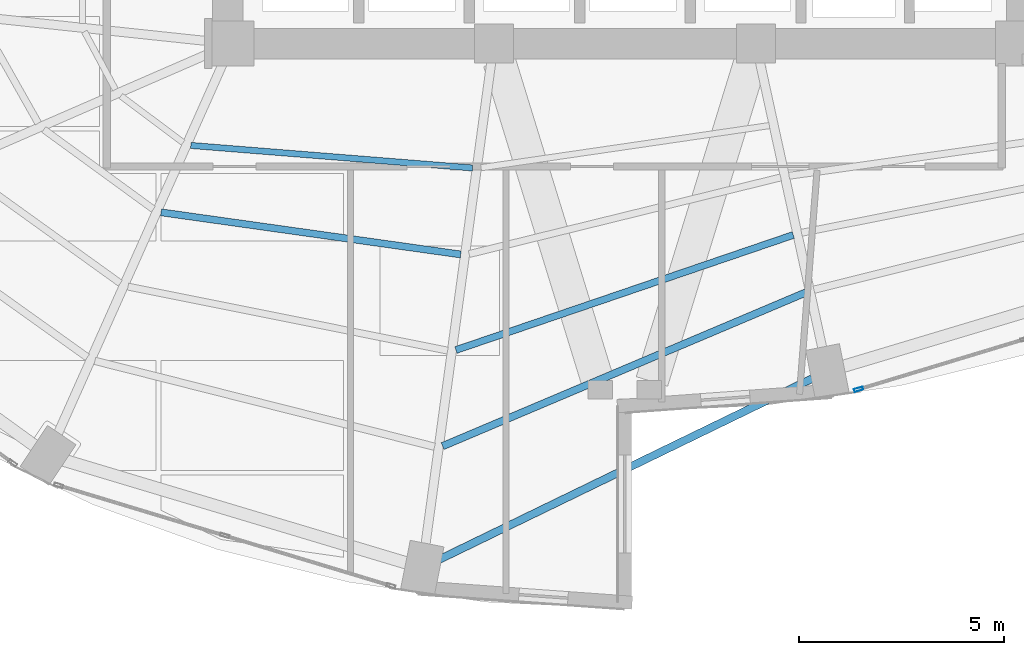
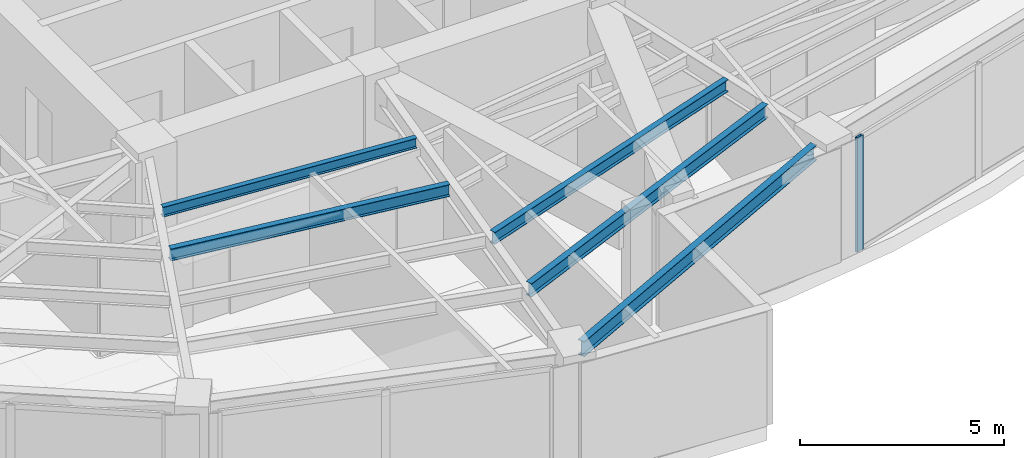
# One storey, part 6 of 23: 5 beams, 1 member, 1 element without a shape of its own.
"""IFC4 building model written with IfcOpenShell, lengths in metres."""

from ifc_helpers import new_model, si_unit, direction, frame, origin, origin_2d, place, context, subcontext, project, spatial, hollow_rectangle, i_section, extrude, material, layer, layer_set, material_profile, profile_set, type_object, element, aggregate, save


model = new_model("IFC4")

# Units and contexts
model_context = context("Model", 3, precision=1e-05, world=origin(), true_north=direction((0.0, 1.0)))
body_context = subcontext(model_context, "Body", "Model", "MODEL_VIEW")
ifc_project = project(units=[si_unit("LENGTHUNIT", "METRE"), si_unit("AREAUNIT", "SQUARE_METRE"), si_unit("VOLUMEUNIT", "CUBIC_METRE"), si_unit("PLANEANGLEUNIT", "RADIAN"), si_unit("MASSUNIT", "GRAM", prefix="KILO")], contexts=[model_context])

# Site, building, storey
site_placement = place(None, origin())
site = spatial("IfcSite", under=ifc_project, at=site_placement, CompositionType="ELEMENT")
building_placement = place(site_placement, origin())
building = spatial("IfcBuilding", under=site, at=building_placement, Name="Lazwardi Medical Tower", CompositionType="ELEMENT")
storey_placement = place(building_placement, frame((0.0, 0.0, 81.743896484375)))
storey = spatial("IfcBuildingStorey", under=building, at=storey_placement, Name="L20", CompositionType="ELEMENT", Elevation=81.743896484375)

# Beams
ifc_material_1 = material(Name="Steel S355", Category="steel")
ifc_material_profile_1 = material_profile(ifc_material_1, i_section(OverallWidth=0.179931640625, OverallDepth=0.39990234375, WebThickness=0.008544921875, FlangeThickness=0.013427734375, at=origin_2d()), Name="IPE 400")
ifc_profile_set_1 = profile_set([ifc_material_profile_1], Name="Steel S355")
beam_type_1 = type_object("IfcBeamType", Name="BM-SJ-01", PredefinedType="JOIST", material=ifc_profile_set_1)
beam_1_placement = place(storey_placement, frame((31.550537109375, 10.571533203125, 3.22802734375), z_axis=(0.920947307957, 0.389687125739, 0.0), x_axis=(-0.389687125739, 0.920947307957, 0.0)))
element("IfcBeam", 1, at=beam_1_placement, inside=storey, type_object=beam_type_1, Name="Secondary joist SJ-01 R1 B16 L20", PredefinedType="JOIST", context=body_context, shape_type="SweptSolid", body=[
    extrude(i_section(OverallWidth=0.179931640625, OverallDepth=0.39990234375, WebThickness=0.008544921875, FlangeThickness=0.013427734375, at=origin_2d()), origin(), (0.0, 0.0, 1.0), 9.63134765625),
])
ifc_material_profile_2 = material_profile(ifc_material_1, i_section(OverallWidth=0.169921875, OverallDepth=0.360107421875, WebThickness=0.008056640625, FlangeThickness=0.0126953125, at=origin_2d()), Name="IPE 360")
ifc_profile_set_2 = profile_set([ifc_material_profile_2], Name="Steel S355")
beam_type_2 = type_object("IfcBeamType", Name="BM-SJ-02", PredefinedType="JOIST", material=ifc_profile_set_2)
beam_2_placement = place(storey_placement, frame((31.874267578125, 12.91796875, 3.248046875), z_axis=(0.946467154368, 0.322800132749, 0.0), x_axis=(-0.322800132749, 0.946467154368, 0.0)))
element("IfcBeam", 2, at=beam_2_placement, inside=storey, type_object=beam_type_2, Name="Secondary joist SJ-02 R2 B16 L20", PredefinedType="JOIST", context=body_context, shape_type="SweptSolid", body=[
    extrude(i_section(OverallWidth=0.169921875, OverallDepth=0.360107421875, WebThickness=0.008056640625, FlangeThickness=0.0126953125, at=origin_2d()), origin(), (0.0, 0.0, 1.0), 8.70458984375),
])
beam_3_placement = place(storey_placement, frame((24.67431640625, 16.281005859375, 3.248046875), z_axis=(0.990260920731, -0.139223952222, 0.0), x_axis=(0.139223952222, 0.990260920731, 0.0)))
element("IfcBeam", 3, at=beam_3_placement, inside=storey, type_object=beam_type_2, Name="Secondary joist SJ-02 R3 B15 L20", PredefinedType="JOIST", context=body_context, shape_type="SweptSolid", body=[
    extrude(i_section(OverallWidth=0.169921875, OverallDepth=0.360107421875, WebThickness=0.008056640625, FlangeThickness=0.0126953125, at=origin_2d()), origin(), (0.0, 0.0, 1.0), 7.3896484375),
])
ifc_material_profile_3 = material_profile(ifc_material_1, i_section(OverallWidth=0.14990234375, OverallDepth=0.300048828125, WebThickness=0.007080078125, FlangeThickness=0.0107421875, at=origin_2d()), Name="IPE 300")
ifc_profile_set_3 = profile_set([ifc_material_profile_3], Name="Steel S355")
beam_type_3 = type_object("IfcBeamType", Name="BM-SJ-03", PredefinedType="JOIST", material=ifc_profile_set_3)
beam_4_placement = place(storey_placement, frame((25.400390625, 17.914306640625, 3.278076171875), z_axis=(0.996816178299, -0.079733974445, 0.0), x_axis=(0.079733974445, 0.996816178299, 0.0)))
element("IfcBeam", 4, at=beam_4_placement, inside=storey, type_object=beam_type_3, Name="Secondary joist SJ-03 R4 B15 L20", PredefinedType="JOIST", context=body_context, shape_type="SweptSolid", body=[
    extrude(i_section(OverallWidth=0.14990234375, OverallDepth=0.300048828125, WebThickness=0.007080078125, FlangeThickness=0.0107421875, at=origin_2d()), origin(), (0.0, 0.0, 1.0), 6.901611328125),
])
ifc_material_profile_4 = material_profile(ifc_material_1, i_section(OverallWidth=0.18994140625, OverallDepth=0.449951171875, WebThickness=0.009521484375, FlangeThickness=0.0146484375, at=origin_2d()), Name="IPE 450")
ifc_profile_set_4 = profile_set([ifc_material_profile_4], Name="Steel S355")
beam_type_4 = type_object("IfcBeamType", Name="BM-SP-01", PredefinedType="SPANDREL", material=ifc_profile_set_4)
beam_5_placement = place(storey_placement, frame((31.42333984375, 7.781494140625, 3.203125), z_axis=(0.899653336227, 0.436604941125, 0.0), x_axis=(-0.436604941125, 0.899653336227, 0.0)))
element("IfcBeam", 5, at=beam_5_placement, inside=storey, type_object=beam_type_4, Name="Spandrel beam SP-01 B16 L20", PredefinedType="SPANDREL", context=body_context, shape_type="SweptSolid", body=[
    extrude(i_section(OverallWidth=0.18994140625, OverallDepth=0.449951171875, WebThickness=0.009521484375, FlangeThickness=0.0146484375, at=origin_2d()), origin(), (0.0, 0.0, 1.0), 10.17431640625),
])

# Curtain wall, member
ifc_material_2 = material(Name="Anodised bronze aluminium and solar control glazing", Category="aluminium")
ifc_layer = layer(ifc_material_2, 0.195068359375)
ifc_layer_set = layer_set([ifc_layer], Name="Anodised bronze aluminium and solar control glazing")
curtain_wall_type = type_object("IfcCurtainWallType", Name="CW-SYS-03", PredefinedType="NOTDEFINED", material=ifc_layer_set)
curtain_wall_placement = place(storey_placement, origin())
curtain_wall = element("IfcCurtainWall", 6, at=curtain_wall_placement, inside=storey, type_object=curtain_wall_type, Name="L20 Unitised bronze curtain wall CW-03", PredefinedType="NOTDEFINED")
ifc_material_3 = material(Name="Anodised bronze aluminium", Category="aluminium")
ifc_material_profile_5 = material_profile(ifc_material_3, hollow_rectangle(XDim=0.074951171875, YDim=0.219970703125, WallThickness=0.00390625, at=origin_2d()), Name="ALU-MULLION 220x75x4")
ifc_profile_set_5 = profile_set([ifc_material_profile_5], Name="Anodised bronze aluminium")
member_type = type_object("IfcMemberType", Name="CW-MUL-01", PredefinedType="MULLION", material=ifc_profile_set_5)
member_placement = place(storey_placement, frame((41.710205078125, 11.9599609375, 0.0), z_axis=(0.0, 0.0, 1.0), x_axis=(-0.28937381157, 0.957216170558, 0.0)))
member = element("IfcMember", 7, at=member_placement, type_object=member_type, Name="CW-03 mullion 1", PredefinedType="MULLION", context=body_context, shape_type="SweptSolid", body=[
    extrude(hollow_rectangle(XDim=0.074951171875, YDim=0.219970703125, WallThickness=0.00390625, at=origin_2d()), origin(), (0.0, 0.0, 1.0), 3.42822265625),
])
aggregate(curtain_wall, [member])

save(model, "model.ifc")
